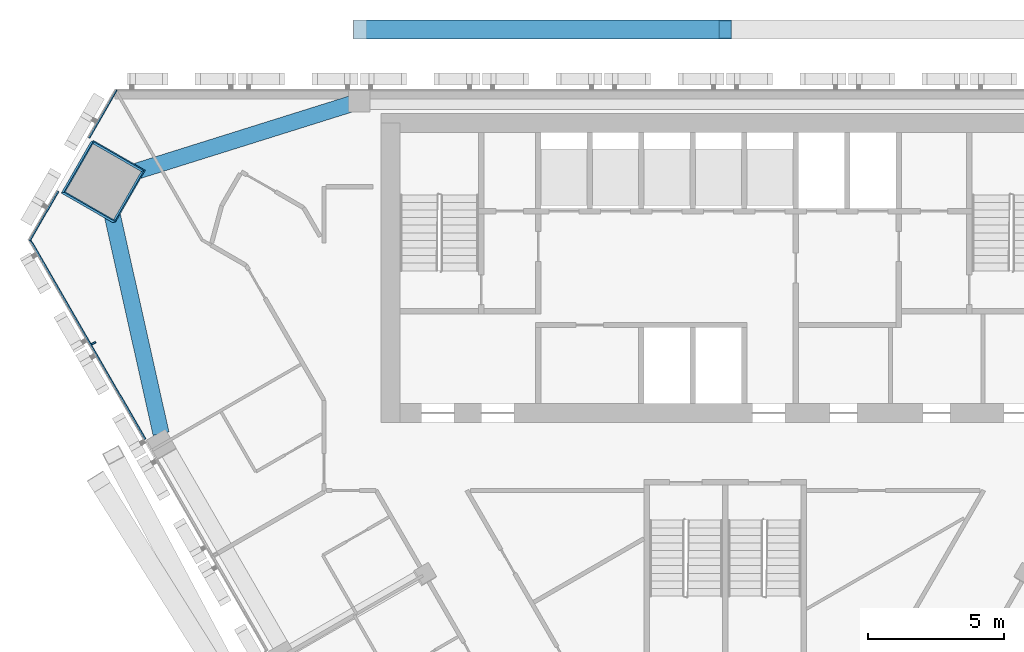
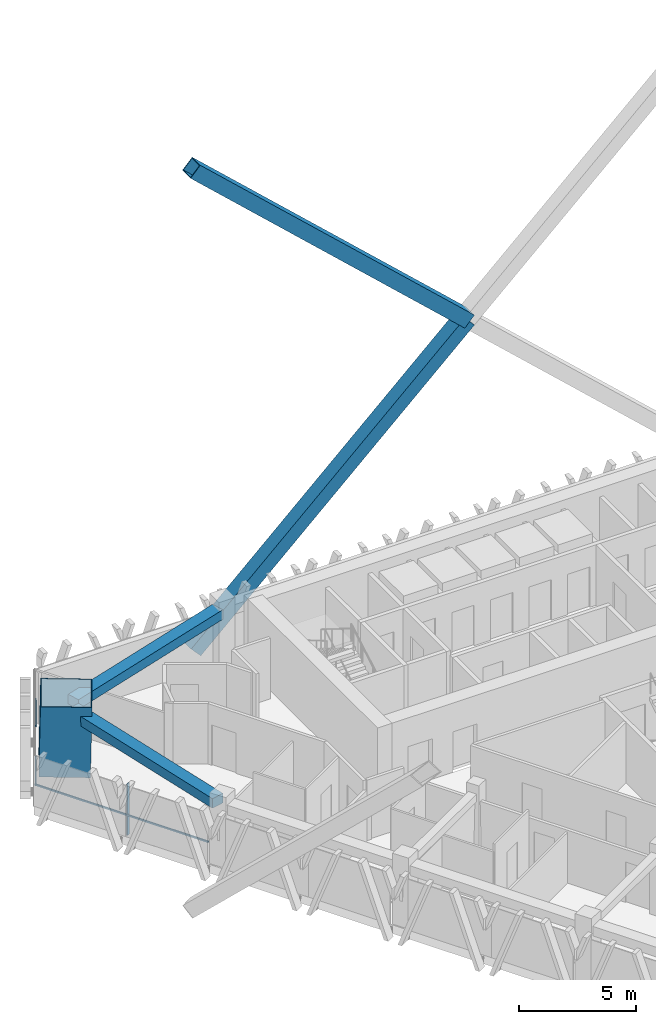
# One storey, part 6 of 17: 7 members, 2 beams, 2 elements without a shape of their own.
"""IFC4 building model written with IfcOpenShell, lengths in metres."""

from ifc_helpers import new_model, si_unit, direction, frame, origin, origin_2d, place, context, subcontext, project, spatial, rectangle, hollow_rectangle, extrude, material, layer, layer_set, material_profile, profile_set, type_object, element, aggregate, save


model = new_model("IFC4")

# Units and contexts
model_context = context("Model", 3, precision=1e-05, world=origin(), true_north=direction((0.0, 1.0)))
body_context = subcontext(model_context, "Body", "Model", "MODEL_VIEW")
ifc_project = project(units=[si_unit("LENGTHUNIT", "METRE"), si_unit("AREAUNIT", "SQUARE_METRE"), si_unit("VOLUMEUNIT", "CUBIC_METRE"), si_unit("PLANEANGLEUNIT", "RADIAN"), si_unit("MASSUNIT", "GRAM", prefix="KILO")], contexts=[model_context])

# Site, building, storey
site_placement = place(None, origin())
site = spatial("IfcSite", under=ifc_project, at=site_placement, CompositionType="ELEMENT")
building_placement = place(site_placement, origin())
building = spatial("IfcBuilding", under=site, at=building_placement, Name="Altiplano Prism Tower", CompositionType="ELEMENT")
storey_placement = place(building_placement, frame((0.0, 0.0, 194.39990234375)))
storey = spatial("IfcBuildingStorey", under=building, at=storey_placement, Name="L50", CompositionType="ELEMENT", Elevation=194.39990234375)

# Curtain wall, member
ifc_material_1 = material(Name="Aluminium and glass", Category="aluminium")
ifc_layer = layer(ifc_material_1, 0.280029296875)
ifc_layer_set = layer_set([ifc_layer], Name="Aluminium and glass")
curtain_wall_type = type_object("IfcCurtainWallType", Name="CW1 typical co-living unitised curtain wall", PredefinedType="NOTDEFINED", material=ifc_layer_set)
curtain_wall_1_placement = place(storey_placement, origin())
curtain_wall_1 = element("IfcCurtainWall", 1, at=curtain_wall_1_placement, inside=storey, type_object=curtain_wall_type, Name="CW1 curtain wall south-west face L50", PredefinedType="NOTDEFINED")
ifc_material_2 = material(Name="Aluminium", Category="aluminium")
ifc_material_profile_1 = material_profile(ifc_material_2, rectangle(XDim=0.179931640625, YDim=0.06494140625, at=origin_2d()), Name="CW1 mullion 65 x 180")
ifc_profile_set_1 = profile_set([ifc_material_profile_1], Name="Aluminium")
member_type_1 = type_object("IfcMemberType", Name="CW1 mullion 65 x 180", PredefinedType="MULLION", material=ifc_profile_set_1)
member_1_placement = place(storey_placement, frame((61.697509765625, 95.625732421875, 0.0), z_axis=(0.0, 0.0, 1.0), x_axis=(0.866025410146, 0.499999988981, 0.0)))
member_1 = element("IfcMember", 2, at=member_1_placement, type_object=member_type_1, Name="CW1 mullion", PredefinedType="MULLION", context=body_context, shape_type="SweptSolid", body=[
    extrude(rectangle(XDim=0.179931640625, YDim=0.06494140625, at=origin_2d()), origin(), (0.0, 0.0, 1.0), 2.650146484375),
])

# Curtain wall, members
curtain_wall_2_placement = place(storey_placement, origin())
curtain_wall_2 = element("IfcCurtainWall", 3, at=curtain_wall_2_placement, inside=storey, type_object=curtain_wall_type, Name="CW1 curtain wall north-west chamfer L50", PredefinedType="NOTDEFINED")
ifc_material_profile_2 = material_profile(ifc_material_2, rectangle(XDim=0.06005859375, YDim=0.080078125, at=origin_2d()), Name="CW1 transom 80 x 60")
ifc_profile_set_2 = profile_set([ifc_material_profile_2], Name="Aluminium")
member_type_2 = type_object("IfcMemberType", Name="CW1 transom 80 x 60", PredefinedType="USERDEFINED", material=ifc_profile_set_2)
member_2_placement = place(storey_placement, frame((62.54736328125, 104.965087890625, 1.10009765625), z_axis=(-0.499941024108, -0.866059450854, 0.0), x_axis=(0.866059450854, -0.499941024108, 0.0)))
member_2 = element("IfcMember", 4, at=member_2_placement, type_object=member_type_2, Name="CW1 transom", ObjectType="TRANSOM", PredefinedType="USERDEFINED", context=body_context, shape_type="SweptSolid", body=[
    extrude(rectangle(XDim=0.06005859375, YDim=0.080078125, at=origin_2d()), origin(), (0.0, 0.0, 1.0), 2.030517578125),
])
member_3_placement = place(storey_placement, frame((60.392333984375, 101.232177734375, 1.10009765625), z_axis=(-0.499946083158, -0.86605653045, 0.0), x_axis=(0.86605653045, -0.499946083158, 0.0)))
member_3 = element("IfcMember", 5, at=member_3_placement, type_object=member_type_2, Name="CW1 transom", ObjectType="TRANSOM", PredefinedType="USERDEFINED", context=body_context, shape_type="SweptSolid", body=[
    extrude(rectangle(XDim=0.06005859375, YDim=0.080078125, at=origin_2d()), origin(), (0.0, 0.0, 1.0), 2.110595703125),
])
aggregate(curtain_wall_2, [member_2, member_3])

# Member
member_4_placement = place(storey_placement, frame((59.337158203125, 99.474365234375, 1.10009765625), z_axis=(0.499979186492, -0.866037420136, 0.0), x_axis=(0.866037420136, 0.499979186492, 0.0)))
member_4 = element("IfcMember", 6, at=member_4_placement, type_object=member_type_2, Name="CW1 transom", ObjectType="TRANSOM", PredefinedType="USERDEFINED", context=body_context, shape_type="SweptSolid", body=[
    extrude(rectangle(XDim=0.06005859375, YDim=0.080078125, at=origin_2d()), origin(), (0.0, 0.0, 1.0), 8.533447265625),
])

aggregate(curtain_wall_1, [member_1, member_4])

# Beams
ifc_material_3 = material(Name="Concrete C60/75", Category="concrete")
ifc_material_profile_3 = material_profile(ifc_material_3, rectangle(XDim=0.60009765625, YDim=0.5, at=origin_2d()), Name="Edge beam 600x500")
ifc_profile_set_3 = profile_set([ifc_material_profile_3], Name="Concrete C60/75")
beam_type = type_object("IfcBeamType", Name="Edge beam 600x500", PredefinedType="SPANDREL", material=ifc_profile_set_3)
for number, where, z_axis, x_axis, name in (
    (7, (71.214599609375, 104.46044921875, 2.900146484375), (-0.9541176125, -0.299432098342, 0.0), (0.299432098342, -0.9541176125, 0.0), "Edge beam P04-M0 L51"),
    (8, (62.207763671875, 101.163818359375, 2.900146484375), (0.217729261229, -0.976009205287, 0.0), (0.976009205287, 0.217729261229, 0.0), "Edge beam M0-P11 L51"),
):
    element("IfcBeam", number, at=place(storey_placement, frame(where, z_axis=z_axis, x_axis=x_axis)), inside=storey, type_object=beam_type, Name=name, PredefinedType="SPANDREL", context=body_context, shape_type="SweptSolid", body=[
        extrude(rectangle(XDim=0.60009765625, YDim=0.5, at=origin_2d()), origin(), (0.0, 0.0, 1.0), 9.0927734375),
    ])

# Members
ifc_material_4 = material(Name="Steel S355", Category="steel")
ifc_material_profile_4 = material_profile(ifc_material_4, hollow_rectangle(XDim=0.699951171875, YDim=0.699951171875, WallThickness=0.034912109375, at=origin_2d()), Name="Mega brace Box 700x700x35")
ifc_profile_set_4 = profile_set([ifc_material_profile_4], Name="Steel S355")
member_type_3 = type_object("IfcMemberType", Name="Mega brace Box 700x700x35", PredefinedType="BRACE", material=ifc_profile_set_4)
member_5_placement = place(storey_placement, frame((85.0, 107.199951171875, 11.72509765625), z_axis=(-0.733086178246, 0.0, 0.680135762377), x_axis=(0.0, -1.0, 0.0)))
element("IfcMember", 9, at=member_5_placement, inside=storey, type_object=member_type_3, Name="Mega brace 5.0.2", PredefinedType="BRACE", context=body_context, shape_type="SweptSolid", body=[
    extrude(hollow_rectangle(XDim=0.699951171875, YDim=0.699951171875, WallThickness=0.034912109375, at=origin_2d()), origin(), (0.0, 0.0, 1.0), 18.415283203125),
])
member_6_placement = place(storey_placement, frame((71.525634765625, 107.199951171875, -0.776123046875), z_axis=(0.733083423808, 0.0, 0.680138731244), x_axis=(0.0, 1.0, 0.0)))
element("IfcMember", 10, at=member_6_placement, inside=storey, type_object=member_type_3, Name="Mega brace 5.0.3", PredefinedType="BRACE", context=body_context, shape_type="SweptSolid", body=[
    extrude(hollow_rectangle(XDim=0.699951171875, YDim=0.699951171875, WallThickness=0.034912109375, at=origin_2d()), origin(), (0.0, 0.0, 1.0), 18.38037109375),
])
ifc_material_5 = material(Name="Steel S460", Category="steel")
ifc_material_profile_5 = material_profile(ifc_material_5, hollow_rectangle(XDim=2.199951171875, YDim=2.199951171875, WallThickness=0.0400390625, at=origin_2d()), Name="Mega column tube 2200")
ifc_profile_set_5 = profile_set([ifc_material_profile_5], Name="Steel S460")
member_type_4 = type_object("IfcMemberType", Name="Mega column tube 2200", PredefinedType="POST", material=ifc_profile_set_5)
member_7_placement = place(storey_placement, frame((62.007568359375, 101.569580078125, 0.0), z_axis=(0.028334066552, 0.009286524205, 0.999555371723), x_axis=(-0.866557155579, 0.49867971023, 0.019930948781)))
element("IfcMember", 11, at=member_7_placement, inside=storey, type_object=member_type_4, Name="Mega column tube M0 L50", PredefinedType="POST", context=body_context, shape_type="SweptSolid", body=[
    extrude(hollow_rectangle(XDim=2.199951171875, YDim=2.199951171875, WallThickness=0.0400390625, at=origin_2d()), origin(), (0.0, 0.0, 1.0), 3.601806640625),
])

save(model, "model.ifc")
